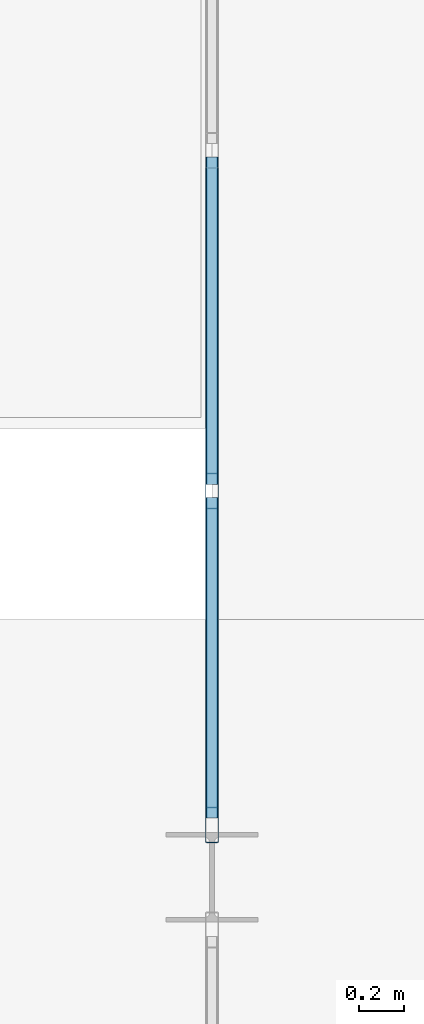
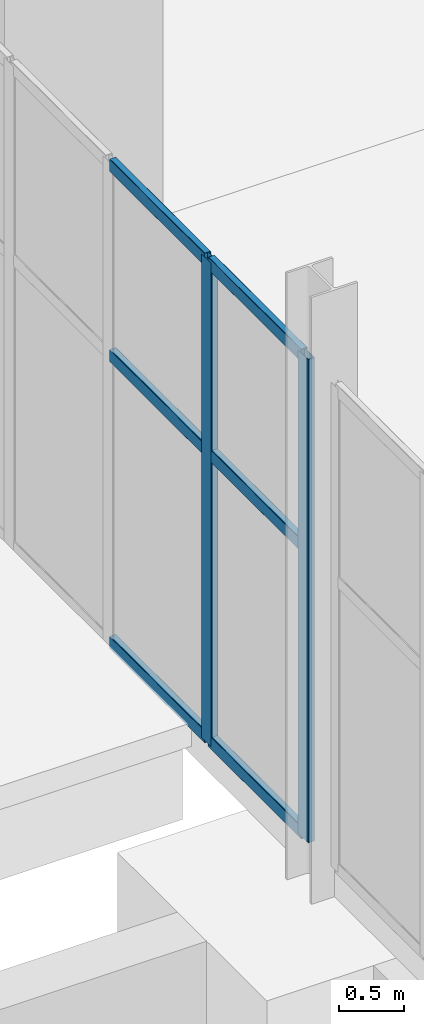
# One storey, part 53 of 95: 8 members, 1 element without a shape of its own.
"""IFC4 building model written with IfcOpenShell, lengths in metres."""

import ifcopenshell
import ifcopenshell.guid

model = None  # the IFC model being written
_history = None  # IfcOwnerHistory: only IFC2X3 demands one
_inside = {}  # id of a spatial element -> (the spatial element, [elements in it])
_under = {}  # id of a project, library or spatial element -> (it, [spatial elements below it])
_declared = {}  # id of a project -> (the project, [libraries it declares])
_typed = {}  # id of a type object -> (the type object, [elements of that type])
_made_of = {}  # id of a material, layer set ... -> (it, [elements and type objects made of it])


def new_model(schema):
    """Start an empty IFC model of exactly this schema.

    Asked for "IFC4X3", IfcOpenShell would pick the latest addendum, in which some entities
    have other attributes; the version numbers below select the first issue.
    IFC2X3 requires an IfcOwnerHistory on every rooted entity: one is made here for all.
    """
    global model, _history
    if schema == "IFC4X3":
        model = ifcopenshell.file(schema_version=(4, 3, 0, 0))
    else:
        model = ifcopenshell.file(schema=schema)
    _inside.clear()
    _under.clear()
    _declared.clear()
    _typed.clear()
    _made_of.clear()
    _history = None
    if model.schema == "IFC2X3":
        org = make("IfcOrganization", Name="unknown")
        user = make(
            "IfcPersonAndOrganization",
            ThePerson=make("IfcPerson", FamilyName="unknown"),
            TheOrganization=org,
        )
        app = make(
            "IfcApplication",
            ApplicationDeveloper=org,
            Version="unknown",
            ApplicationFullName="unknown",
            ApplicationIdentifier="unknown",
        )
        _history = make(
            "IfcOwnerHistory",
            OwningUser=user,
            OwningApplication=app,
            ChangeAction="ADDED",
            CreationDate=0,
        )
    return model


def make(cls, **values):
    """One entity of the class cls with the attributes given. An attribute that is None is left unset."""
    return model.create_entity(
        cls, **{name: value for name, value in values.items() if value is not None}
    )


def rooted(cls, **values):
    """An entity with a GlobalId (a new one), such as an element, a storey or a relation."""
    return make(cls, GlobalId=ifcopenshell.guid.new(), OwnerHistory=_history, **values)


def si_unit(unit_type, name, prefix=None):
    """IfcSIUnit, for example si_unit("LENGTHUNIT", "METRE", prefix="MILLI")."""
    return make("IfcSIUnit", UnitType=unit_type, Prefix=prefix, Name=name)


def assignment(units):
    """IfcUnitAssignment: the units of a project."""
    return None if units is None else make("IfcUnitAssignment", Units=units)


def point(xyz):
    """IfcCartesianPoint."""
    return None if xyz is None else make("IfcCartesianPoint", Coordinates=xyz)


def direction(xyz):
    """IfcDirection."""
    return None if xyz is None else make("IfcDirection", DirectionRatios=xyz)


def frame(location, z_axis=None, x_axis=None):
    """IfcAxis2Placement3D, a coordinate frame: its origin and axes. An axis left out is left unset."""
    return make(
        "IfcAxis2Placement3D",
        Location=point(location),
        Axis=direction(z_axis),
        RefDirection=direction(x_axis),
    )


def frame_2d(location, x_axis=None):
    """IfcAxis2Placement2D, a coordinate frame in the plane: its origin and x axis."""
    return make(
        "IfcAxis2Placement2D", Location=point(location), RefDirection=direction(x_axis)
    )


def origin():
    """The frame at (0, 0, 0) with its axes left unset."""
    return frame((0.0, 0.0, 0.0))


def origin_2d():
    """The frame at (0, 0) in the plane with its x axis left unset."""
    return frame_2d((0.0, 0.0))


def place(relative_to, where):
    """IfcLocalPlacement: puts the frame where relative to a parent placement (None: the world)."""
    return make(
        "IfcLocalPlacement", PlacementRelTo=relative_to, RelativePlacement=where
    )


def context(
    kind, dimensions, precision=None, world=None, true_north=None, identifier=None
):
    """IfcGeometricRepresentationContext, for example the 3D "Model" context."""
    return make(
        "IfcGeometricRepresentationContext",
        ContextIdentifier=identifier,
        ContextType=kind,
        CoordinateSpaceDimension=dimensions,
        Precision=precision,
        WorldCoordinateSystem=world,
        TrueNorth=true_north,
    )


def subcontext(parent, identifier, kind, view, scale=None):
    """IfcGeometricRepresentationSubContext, for example "Body" below "Model"."""
    return make(
        "IfcGeometricRepresentationSubContext",
        ContextIdentifier=identifier,
        ContextType=kind,
        ParentContext=parent,
        TargetScale=scale,
        TargetView=view,
    )


def project(units=None, contexts=None):
    """IfcProject with its units and contexts."""
    return rooted(
        "IfcProject",
        Name="project",
        RepresentationContexts=contexts,
        UnitsInContext=assignment(units),
    )


def spatial(cls, under=None, at=None, **own):
    """A site, building, storey or space (cls), placed at a placement, below another one or the project."""
    s = rooted(cls, ObjectPlacement=at, **own)
    if under is not None:
        _under.setdefault(under.id(), (under, []))[1].append(s)
    return s


def profile(cls, at=None, kind="AREA", **sizes):
    """A parametric profile (cls). Its sizes go by their IFC names, for example OverallWidth=200.0."""
    return make(cls, ProfileType=kind, Position=at, **sizes)


def hollow_rectangle(**sizes):
    """IfcRectangleHollowProfileDef."""
    return profile("IfcRectangleHollowProfileDef", **sizes)


def extrude(swept, where, along, depth):
    """IfcExtrudedAreaSolid: the profile swept, set in the frame where, extruded along a direction by depth."""
    return make(
        "IfcExtrudedAreaSolid",
        SweptArea=swept,
        Position=where,
        ExtrudedDirection=direction(along),
        Depth=depth,
    )


def shape(context_of_items, identifier, shape_type, items):
    """IfcShapeRepresentation: the items that make up one representation, for example the "Body"."""
    return make(
        "IfcShapeRepresentation",
        ContextOfItems=context_of_items,
        RepresentationIdentifier=identifier,
        RepresentationType=shape_type,
        Items=items,
    )


def material(Name=None, Category=None):
    """IfcMaterial."""
    return make("IfcMaterial", Name=Name, Category=Category)


def material_profile(
    of_material, cross_section, Name=None, Category=None, Priority=None
):
    """IfcMaterialProfile: a cross section and its material."""
    return make(
        "IfcMaterialProfile",
        Name=Name,
        Material=of_material,
        Profile=cross_section,
        Priority=Priority,
        Category=Category,
    )


def profile_set(profiles, Name=None, composite=None):
    """IfcMaterialProfileSet."""
    return make(
        "IfcMaterialProfileSet",
        Name=Name,
        MaterialProfiles=profiles,
        CompositeProfile=composite,
    )


def made_of(thing, what):
    """Note that an element or type object is made of a material, layer set ...; save() writes the relation."""
    if what is not None:
        _made_of.setdefault(what.id(), (what, []))[1].append(thing)
    return thing


def type_object(cls, material=None, **own):
    """A type object (cls), such as IfcWallType, which elements share."""
    return made_of(rooted(cls, **own), material)


def element(
    cls,
    number,
    at=None,
    inside=None,
    cuts=None,
    type_object=None,
    material=None,
    context=None,
    identifier="Body",
    shape_type=None,
    held_by="IfcProductDefinitionShape",
    body=None,
    shapes=None,
    **own,
):
    """One element of the class cls, such as IfcWall. Its Tag is "e" and its number.

    at: its placement. inside: the storey or other place that contains it. cuts: it is an
    opening in that element (IfcRelVoidsElement). A single representation is given by context,
    identifier, shape_type and body (its items); several are given by shapes. held_by: the class
    of the entity that holds the representations. save() writes the other relations.
    """
    e = rooted(cls, Tag="e%d" % number, ObjectPlacement=at, **own)
    if body is not None:
        shapes = [shape(context, identifier, shape_type, body)]
    if shapes is not None:
        e.Representation = make(held_by, Representations=shapes)
    if inside is not None:
        _inside.setdefault(inside.id(), (inside, []))[1].append(e)
    if cuts is not None:
        rooted(
            "IfcRelVoidsElement", RelatingBuildingElement=cuts, RelatedOpeningElement=e
        )
    if type_object is not None:
        _typed.setdefault(type_object.id(), (type_object, []))[1].append(e)
    return made_of(e, material)


def aggregate(whole, parts):
    """IfcRelAggregates: a whole, such as a stair, and the parts it consists of."""
    return rooted("IfcRelAggregates", RelatingObject=whole, RelatedObjects=parts)


def save(model, path):
    """Write the relations noted so far, then the file.

    IfcRelAggregates (storeys below a building ...), IfcRelContainedInSpatialStructure (elements
    in a storey), IfcRelDefinesByType, IfcRelAssociatesMaterial and IfcRelDeclares: one each for
    every whole, place, type object, material and project.
    """
    for whole, parts in _under.values():
        aggregate(whole, parts)
    for where, things in _inside.values():
        rooted(
            "IfcRelContainedInSpatialStructure",
            RelatedElements=things,
            RelatingStructure=where,
        )
    for kind, things in _typed.values():
        rooted("IfcRelDefinesByType", RelatedObjects=things, RelatingType=kind)
    for what, things in _made_of.values():
        rooted("IfcRelAssociatesMaterial", RelatedObjects=things, RelatingMaterial=what)
    for by, libraries in _declared.values():
        rooted("IfcRelDeclares", RelatingContext=by, RelatedDefinitions=libraries)
    model.write(path)


model = new_model("IFC4")

# Units and contexts
model_context = context("Model", 3, precision=1e-05, world=origin(), true_north=direction((0.0, 1.0)))
body_context = subcontext(model_context, "Body", "Model", "MODEL_VIEW")
ifc_project = project(units=[si_unit("LENGTHUNIT", "METRE"), si_unit("AREAUNIT", "SQUARE_METRE"), si_unit("VOLUMEUNIT", "CUBIC_METRE"), si_unit("PLANEANGLEUNIT", "RADIAN"), si_unit("MASSUNIT", "GRAM", prefix="KILO")], contexts=[model_context])

# Site, building, storey
site_placement = place(None, origin())
site = spatial("IfcSite", under=ifc_project, at=site_placement, CompositionType="ELEMENT")
building_placement = place(site_placement, origin())
building = spatial("IfcBuilding", under=site, at=building_placement, Name="Shengluoqiao Park Theatre", CompositionType="ELEMENT")
storey_placement = place(building_placement, origin())
storey = spatial("IfcBuildingStorey", under=building, at=storey_placement, Name="L00", CompositionType="ELEMENT", Elevation=0.0)

# Curtain wall, members
ifc_material = material(Name="Aluminium 6063-T6", Category="aluminium")
curtain_wall_type = type_object("IfcCurtainWallType", Name="ENV-CW-COURT", PredefinedType="NOTDEFINED", material=ifc_material)
curtain_wall_placement = place(storey_placement, origin())
curtain_wall = element("IfcCurtainWall", 1, at=curtain_wall_placement, inside=storey, type_object=curtain_wall_type, Name="L00 Curtain Wall CWX-L00-0177", PredefinedType="NOTDEFINED")
ifc_material_profile_1 = material_profile(ifc_material, hollow_rectangle(XDim=0.06005859375, YDim=0.159912109375, WallThickness=0.00390625, InnerFilletRadius=0.00390625, OuterFilletRadius=0.008056640625, at=origin_2d()), Name="ALU MULLION 160x60x4")
ifc_profile_set_1 = profile_set([ifc_material_profile_1], Name="Aluminium 6063-T6")
member_type_1 = type_object("IfcMemberType", Name="ENV-MUL-160", PredefinedType="MULLION", material=ifc_profile_set_1)
member_1_placement = place(storey_placement, frame((157.199951171875, 76.23388671875, 0.0), z_axis=(0.0, 0.0, 1.0), x_axis=(-1.0, 0.0, 0.0)))
member_1 = element("IfcMember", 2, at=member_1_placement, type_object=member_type_1, Name="CW-05 mullion 1", PredefinedType="MULLION", context=body_context, shape_type="SweptSolid", body=[
    extrude(hollow_rectangle(XDim=0.06005859375, YDim=0.159912109375, WallThickness=0.00390625, InnerFilletRadius=0.00390625, OuterFilletRadius=0.008056640625, at=origin_2d()), origin(), (0.0, 0.0, 1.0), 4.5419921875),
])
member_2_placement = place(storey_placement, frame((157.199951171875, 77.722412109375, 0.0), z_axis=(0.0, 0.0, 1.0), x_axis=(-1.0, 0.0, 0.0)))
member_2 = element("IfcMember", 3, at=member_2_placement, type_object=member_type_1, Name="CW-05 mullion 2", PredefinedType="MULLION", context=body_context, shape_type="SweptSolid", body=[
    extrude(hollow_rectangle(XDim=0.06005859375, YDim=0.159912109375, WallThickness=0.00390625, InnerFilletRadius=0.00390625, OuterFilletRadius=0.008056640625, at=origin_2d()), origin(), (0.0, 0.0, 1.0), 4.5419921875),
])
ifc_material_profile_2 = material_profile(ifc_material, hollow_rectangle(XDim=0.06005859375, YDim=0.1201171875, WallThickness=0.00390625, InnerFilletRadius=0.00390625, OuterFilletRadius=0.008056640625, at=origin_2d()), Name="ALU TRANSOM 120x60x4")
ifc_profile_set_2 = profile_set([ifc_material_profile_2], Name="Aluminium 6063-T6")
member_type_2 = type_object("IfcMemberType", Name="ENV-TRN-120", PredefinedType="USERDEFINED", material=ifc_profile_set_2)
member_3_placement = place(storey_placement, frame((157.199951171875, 76.263916015625, 0.030029296875), z_axis=(0.0, 1.0, 0.0), x_axis=(-1.0, 0.0, 0.0)))
member_3 = element("IfcMember", 4, at=member_3_placement, type_object=member_type_2, Name="CW-05 transom 1.1", ObjectType="TRANSOM", PredefinedType="USERDEFINED", context=body_context, shape_type="SweptSolid", body=[
    extrude(hollow_rectangle(XDim=0.06005859375, YDim=0.1201171875, WallThickness=0.00390625, InnerFilletRadius=0.00390625, OuterFilletRadius=0.008056640625, at=origin_2d()), origin(), (0.0, 0.0, 1.0), 1.428466796875),
])
member_4_placement = place(storey_placement, frame((157.199951171875, 76.263916015625, 2.72509765625), z_axis=(0.0, 1.0, 0.0), x_axis=(-1.0, 0.0, 0.0)))
member_4 = element("IfcMember", 5, at=member_4_placement, type_object=member_type_2, Name="CW-05 transom 1.2", ObjectType="TRANSOM", PredefinedType="USERDEFINED", context=body_context, shape_type="SweptSolid", body=[
    extrude(hollow_rectangle(XDim=0.06005859375, YDim=0.1201171875, WallThickness=0.00390625, InnerFilletRadius=0.00390625, OuterFilletRadius=0.008056640625, at=origin_2d()), origin(), (0.0, 0.0, 1.0), 1.428466796875),
])
member_5_placement = place(storey_placement, frame((157.199951171875, 76.263916015625, 4.511962890625), z_axis=(0.0, 1.0, 0.0), x_axis=(-1.0, 0.0, 0.0)))
member_5 = element("IfcMember", 6, at=member_5_placement, type_object=member_type_2, Name="CW-05 transom 1.3", ObjectType="TRANSOM", PredefinedType="USERDEFINED", context=body_context, shape_type="SweptSolid", body=[
    extrude(hollow_rectangle(XDim=0.06005859375, YDim=0.1201171875, WallThickness=0.00390625, InnerFilletRadius=0.00390625, OuterFilletRadius=0.008056640625, at=origin_2d()), origin(), (0.0, 0.0, 1.0), 1.428466796875),
])
member_6_placement = place(storey_placement, frame((157.199951171875, 77.75244140625, 0.030029296875), z_axis=(0.0, 1.0, 0.0), x_axis=(-1.0, 0.0, 0.0)))
member_6 = element("IfcMember", 7, at=member_6_placement, type_object=member_type_2, Name="CW-05 transom 2.1", ObjectType="TRANSOM", PredefinedType="USERDEFINED", context=body_context, shape_type="SweptSolid", body=[
    extrude(hollow_rectangle(XDim=0.06005859375, YDim=0.1201171875, WallThickness=0.00390625, InnerFilletRadius=0.00390625, OuterFilletRadius=0.008056640625, at=origin_2d()), origin(), (0.0, 0.0, 1.0), 1.458251953125),
])
member_7_placement = place(storey_placement, frame((157.199951171875, 77.75244140625, 2.72509765625), z_axis=(0.0, 1.0, 0.0), x_axis=(-1.0, 0.0, 0.0)))
member_7 = element("IfcMember", 8, at=member_7_placement, type_object=member_type_2, Name="CW-05 transom 2.2", ObjectType="TRANSOM", PredefinedType="USERDEFINED", context=body_context, shape_type="SweptSolid", body=[
    extrude(hollow_rectangle(XDim=0.06005859375, YDim=0.1201171875, WallThickness=0.00390625, InnerFilletRadius=0.00390625, OuterFilletRadius=0.008056640625, at=origin_2d()), origin(), (0.0, 0.0, 1.0), 1.458251953125),
])
member_8_placement = place(storey_placement, frame((157.199951171875, 77.75244140625, 4.511962890625), z_axis=(0.0, 1.0, 0.0), x_axis=(-1.0, 0.0, 0.0)))
member_8 = element("IfcMember", 9, at=member_8_placement, type_object=member_type_2, Name="CW-05 transom 2.3", ObjectType="TRANSOM", PredefinedType="USERDEFINED", context=body_context, shape_type="SweptSolid", body=[
    extrude(hollow_rectangle(XDim=0.06005859375, YDim=0.1201171875, WallThickness=0.00390625, InnerFilletRadius=0.00390625, OuterFilletRadius=0.008056640625, at=origin_2d()), origin(), (0.0, 0.0, 1.0), 1.458251953125),
])
aggregate(curtain_wall, [member_1, member_2, member_3, member_4, member_5, member_6, member_7, member_8])

save(model, "model.ifc")
